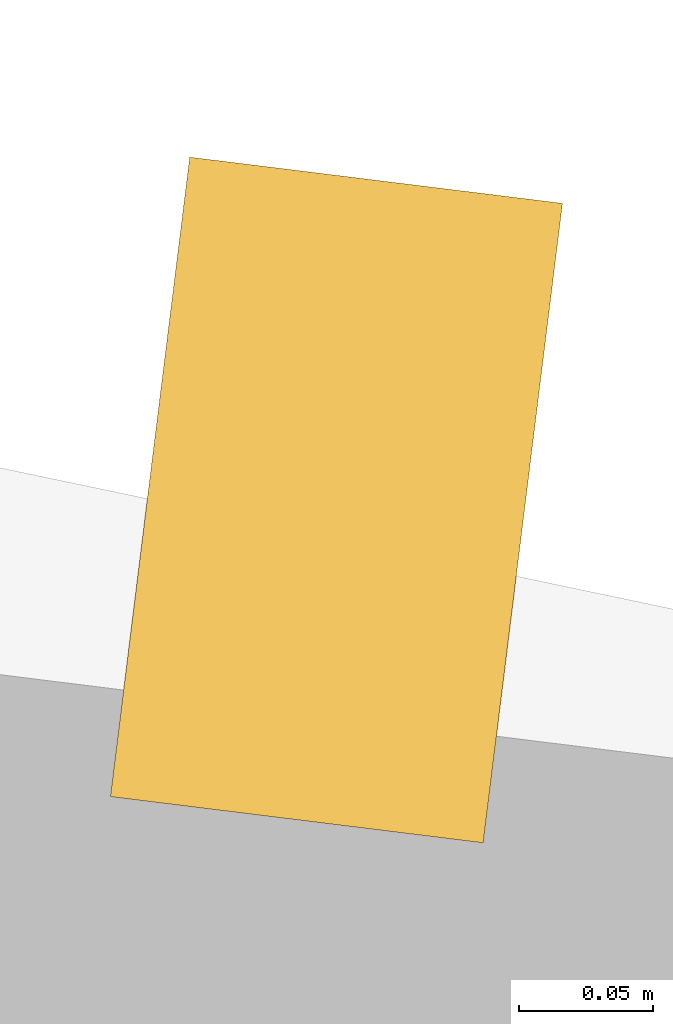
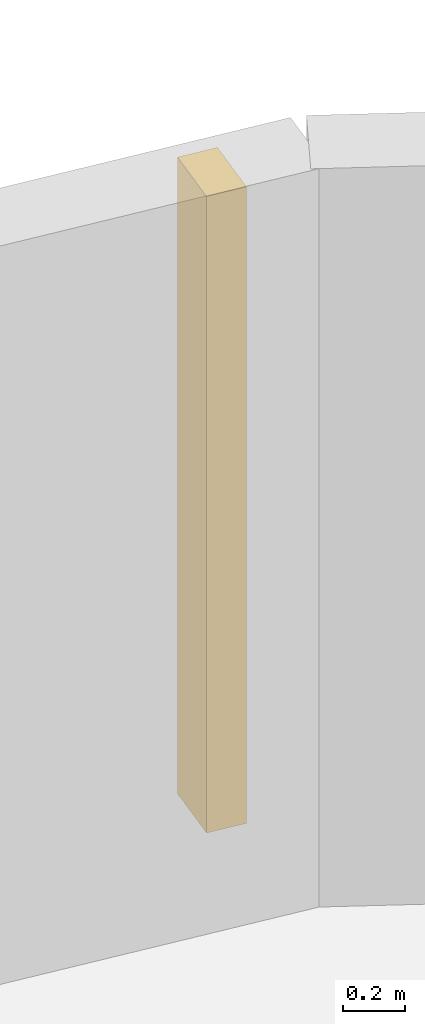
# One storey, part 15 of 15: 1 shading device.
"""IFC4 building model written with IfcOpenShell, lengths in metres."""

from ifc_helpers import new_model, si_unit, direction, frame, origin, origin_2d, place, context, subcontext, project, spatial, rectangle, extrude, material, type_object, element, save


model = new_model("IFC4")

# Units and contexts
model_context = context("Model", 3, precision=1e-05, world=origin(), true_north=direction((0.0, 1.0)))
body_context = subcontext(model_context, "Body", "Model", "MODEL_VIEW")
ifc_project = project(units=[si_unit("LENGTHUNIT", "METRE"), si_unit("AREAUNIT", "SQUARE_METRE"), si_unit("VOLUMEUNIT", "CUBIC_METRE"), si_unit("PLANEANGLEUNIT", "RADIAN"), si_unit("MASSUNIT", "GRAM", prefix="KILO"), si_unit("THERMODYNAMICTEMPERATUREUNIT", "KELVIN"), si_unit("POWERUNIT", "WATT")], contexts=[model_context])

# Site, building, storey
site_placement = place(None, origin())
site = spatial("IfcSite", under=ifc_project, at=site_placement, CompositionType="ELEMENT")
building_placement = place(site_placement, origin())
building = spatial("IfcBuilding", under=site, at=building_placement, Name="Ocrelia Relay Tower", CompositionType="ELEMENT")
storey_placement = place(building_placement, frame((0.0, 0.0, 141.800048828125)))
storey = spatial("IfcBuildingStorey", under=building, at=storey_placement, Name="L33", CompositionType="ELEMENT", Elevation=141.800048828125)

# Shading device
ifc_material = material(Name="Extruded oxide terracotta vertical baguette", Category="masonry")
shading_device_type = type_object("IfcShadingDeviceType", Name="SH-TERR-BAGUETTE", PredefinedType="USERDEFINED", material=ifc_material)
shading_device_placement = place(storey_placement, frame((46.0146484375, 46.10400390625, 0.199951171875), z_axis=(0.0, 0.0, 1.0), x_axis=(-0.992400538758, 0.123049464335, 0.0)))
element("IfcShadingDevice", 1, at=shading_device_placement, inside=storey, type_object=shading_device_type, Name="L33 Oxide Terracotta Vertical Baguette 03", ObjectType="BAGUETTE", PredefinedType="USERDEFINED", context=body_context, shape_type="SweptSolid", body=[
    extrude(rectangle(XDim=0.139892578125, YDim=0.239990234375, at=origin_2d()), origin(), (0.0, 0.0, 1.0), 2.5),
])

save(model, "model.ifc")
